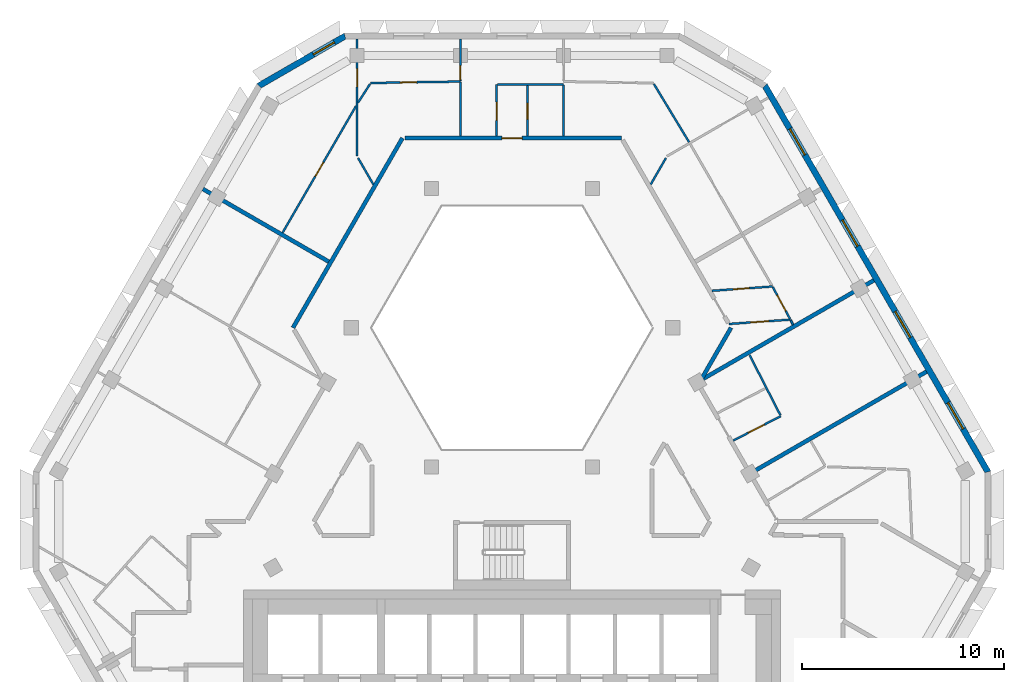
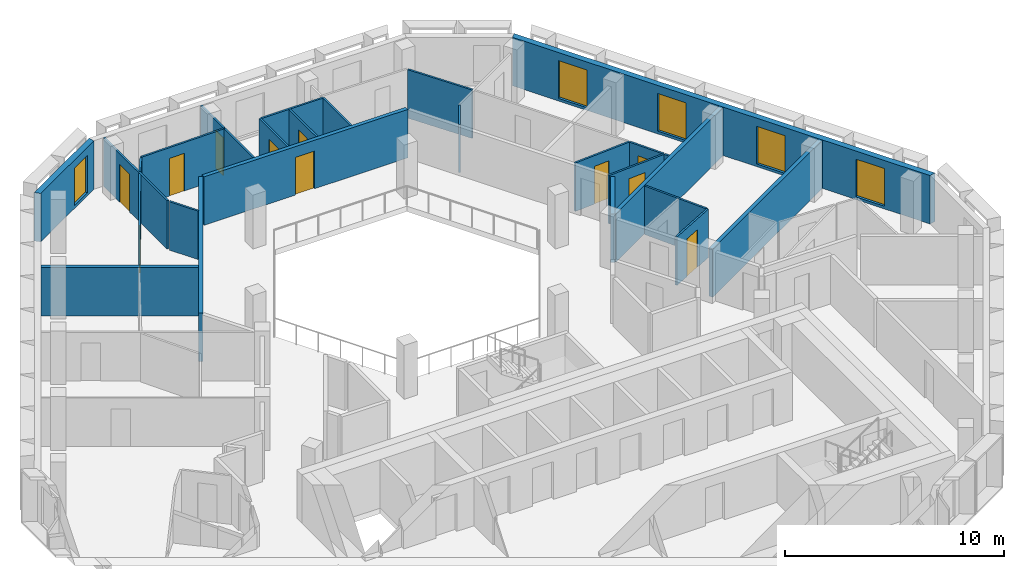
# One storey, part 6 of 14: 27 walls, 11 doors, 5 windows, 16 openings.
"""IFC4 building model written with IfcOpenShell, lengths in metres."""

import ifcopenshell
import ifcopenshell.guid

model = None  # the IFC model being written
_history = None  # IfcOwnerHistory: only IFC2X3 demands one
_inside = {}  # id of a spatial element -> (the spatial element, [elements in it])
_under = {}  # id of a project, library or spatial element -> (it, [spatial elements below it])
_declared = {}  # id of a project -> (the project, [libraries it declares])
_typed = {}  # id of a type object -> (the type object, [elements of that type])
_made_of = {}  # id of a material, layer set ... -> (it, [elements and type objects made of it])


def new_model(schema):
    """Start an empty IFC model of exactly this schema.

    Asked for "IFC4X3", IfcOpenShell would pick the latest addendum, in which some entities
    have other attributes; the version numbers below select the first issue.
    IFC2X3 requires an IfcOwnerHistory on every rooted entity: one is made here for all.
    """
    global model, _history
    if schema == "IFC4X3":
        model = ifcopenshell.file(schema_version=(4, 3, 0, 0))
    else:
        model = ifcopenshell.file(schema=schema)
    _inside.clear()
    _under.clear()
    _declared.clear()
    _typed.clear()
    _made_of.clear()
    _history = None
    if model.schema == "IFC2X3":
        org = make("IfcOrganization", Name="unknown")
        user = make(
            "IfcPersonAndOrganization",
            ThePerson=make("IfcPerson", FamilyName="unknown"),
            TheOrganization=org,
        )
        app = make(
            "IfcApplication",
            ApplicationDeveloper=org,
            Version="unknown",
            ApplicationFullName="unknown",
            ApplicationIdentifier="unknown",
        )
        _history = make(
            "IfcOwnerHistory",
            OwningUser=user,
            OwningApplication=app,
            ChangeAction="ADDED",
            CreationDate=0,
        )
    return model


def make(cls, **values):
    """One entity of the class cls with the attributes given. An attribute that is None is left unset."""
    return model.create_entity(
        cls, **{name: value for name, value in values.items() if value is not None}
    )


def rooted(cls, **values):
    """An entity with a GlobalId (a new one), such as an element, a storey or a relation."""
    return make(cls, GlobalId=ifcopenshell.guid.new(), OwnerHistory=_history, **values)


def si_unit(unit_type, name, prefix=None):
    """IfcSIUnit, for example si_unit("LENGTHUNIT", "METRE", prefix="MILLI")."""
    return make("IfcSIUnit", UnitType=unit_type, Prefix=prefix, Name=name)


def assignment(units):
    """IfcUnitAssignment: the units of a project."""
    return None if units is None else make("IfcUnitAssignment", Units=units)


def point(xyz):
    """IfcCartesianPoint."""
    return None if xyz is None else make("IfcCartesianPoint", Coordinates=xyz)


def direction(xyz):
    """IfcDirection."""
    return None if xyz is None else make("IfcDirection", DirectionRatios=xyz)


def frame(location, z_axis=None, x_axis=None):
    """IfcAxis2Placement3D, a coordinate frame: its origin and axes. An axis left out is left unset."""
    return make(
        "IfcAxis2Placement3D",
        Location=point(location),
        Axis=direction(z_axis),
        RefDirection=direction(x_axis),
    )


def frame_2d(location, x_axis=None):
    """IfcAxis2Placement2D, a coordinate frame in the plane: its origin and x axis."""
    return make(
        "IfcAxis2Placement2D", Location=point(location), RefDirection=direction(x_axis)
    )


def origin():
    """The frame at (0, 0, 0) with its axes left unset."""
    return frame((0.0, 0.0, 0.0))


def place(relative_to, where):
    """IfcLocalPlacement: puts the frame where relative to a parent placement (None: the world)."""
    return make(
        "IfcLocalPlacement", PlacementRelTo=relative_to, RelativePlacement=where
    )


def context(
    kind, dimensions, precision=None, world=None, true_north=None, identifier=None
):
    """IfcGeometricRepresentationContext, for example the 3D "Model" context."""
    return make(
        "IfcGeometricRepresentationContext",
        ContextIdentifier=identifier,
        ContextType=kind,
        CoordinateSpaceDimension=dimensions,
        Precision=precision,
        WorldCoordinateSystem=world,
        TrueNorth=true_north,
    )


def subcontext(parent, identifier, kind, view, scale=None):
    """IfcGeometricRepresentationSubContext, for example "Body" below "Model"."""
    return make(
        "IfcGeometricRepresentationSubContext",
        ContextIdentifier=identifier,
        ContextType=kind,
        ParentContext=parent,
        TargetScale=scale,
        TargetView=view,
    )


def project(units=None, contexts=None):
    """IfcProject with its units and contexts."""
    return rooted(
        "IfcProject",
        Name="project",
        RepresentationContexts=contexts,
        UnitsInContext=assignment(units),
    )


def spatial(cls, under=None, at=None, **own):
    """A site, building, storey or space (cls), placed at a placement, below another one or the project."""
    s = rooted(cls, ObjectPlacement=at, **own)
    if under is not None:
        _under.setdefault(under.id(), (under, []))[1].append(s)
    return s


def polyline(points):
    """IfcPolyline through the points."""
    return make("IfcPolyline", Points=[point(p) for p in points])


def profile(cls, at=None, kind="AREA", **sizes):
    """A parametric profile (cls). Its sizes go by their IFC names, for example OverallWidth=200.0."""
    return make(cls, ProfileType=kind, Position=at, **sizes)


def rectangle(**sizes):
    """IfcRectangleProfileDef."""
    return profile("IfcRectangleProfileDef", **sizes)


def outline(outer, holes=None, kind="AREA"):
    """IfcArbitraryClosedProfileDef: a profile drawn as a closed curve; with holes, ...WithVoids."""
    if holes is None:
        return make("IfcArbitraryClosedProfileDef", ProfileType=kind, OuterCurve=outer)
    return make(
        "IfcArbitraryProfileDefWithVoids",
        ProfileType=kind,
        OuterCurve=outer,
        InnerCurves=holes,
    )


def extrude(swept, where, along, depth):
    """IfcExtrudedAreaSolid: the profile swept, set in the frame where, extruded along a direction by depth."""
    return make(
        "IfcExtrudedAreaSolid",
        SweptArea=swept,
        Position=where,
        ExtrudedDirection=direction(along),
        Depth=depth,
    )


def shape(context_of_items, identifier, shape_type, items):
    """IfcShapeRepresentation: the items that make up one representation, for example the "Body"."""
    return make(
        "IfcShapeRepresentation",
        ContextOfItems=context_of_items,
        RepresentationIdentifier=identifier,
        RepresentationType=shape_type,
        Items=items,
    )


def material(Name=None, Category=None):
    """IfcMaterial."""
    return make("IfcMaterial", Name=Name, Category=Category)


def layer(
    of_material, thickness, ventilated=None, Name=None, Category=None, Priority=None
):
    """IfcMaterialLayer: one layer of a wall or slab, of a material (None: an air gap)."""
    return make(
        "IfcMaterialLayer",
        Material=of_material,
        LayerThickness=thickness,
        IsVentilated=ventilated,
        Name=Name,
        Category=Category,
        Priority=Priority,
    )


def layer_set(layers, Name=None):
    """IfcMaterialLayerSet."""
    return make("IfcMaterialLayerSet", MaterialLayers=layers, LayerSetName=Name)


def made_of(thing, what):
    """Note that an element or type object is made of a material, layer set ...; save() writes the relation."""
    if what is not None:
        _made_of.setdefault(what.id(), (what, []))[1].append(thing)
    return thing


def type_object(cls, material=None, **own):
    """A type object (cls), such as IfcWallType, which elements share."""
    return made_of(rooted(cls, **own), material)


def element(
    cls,
    number,
    at=None,
    inside=None,
    cuts=None,
    type_object=None,
    material=None,
    context=None,
    identifier="Body",
    shape_type=None,
    held_by="IfcProductDefinitionShape",
    body=None,
    shapes=None,
    **own,
):
    """One element of the class cls, such as IfcWall. Its Tag is "e" and its number.

    at: its placement. inside: the storey or other place that contains it. cuts: it is an
    opening in that element (IfcRelVoidsElement). A single representation is given by context,
    identifier, shape_type and body (its items); several are given by shapes. held_by: the class
    of the entity that holds the representations. save() writes the other relations.
    """
    e = rooted(cls, Tag="e%d" % number, ObjectPlacement=at, **own)
    if body is not None:
        shapes = [shape(context, identifier, shape_type, body)]
    if shapes is not None:
        e.Representation = make(held_by, Representations=shapes)
    if inside is not None:
        _inside.setdefault(inside.id(), (inside, []))[1].append(e)
    if cuts is not None:
        rooted(
            "IfcRelVoidsElement", RelatingBuildingElement=cuts, RelatedOpeningElement=e
        )
    if type_object is not None:
        _typed.setdefault(type_object.id(), (type_object, []))[1].append(e)
    return made_of(e, material)


def fill(opening, filler):
    """IfcRelFillsElement: the door or window that sits in an opening."""
    return rooted(
        "IfcRelFillsElement",
        RelatingOpeningElement=opening,
        RelatedBuildingElement=filler,
    )


def aggregate(whole, parts):
    """IfcRelAggregates: a whole, such as a stair, and the parts it consists of."""
    return rooted("IfcRelAggregates", RelatingObject=whole, RelatedObjects=parts)


def save(model, path):
    """Write the relations noted so far, then the file.

    IfcRelAggregates (storeys below a building ...), IfcRelContainedInSpatialStructure (elements
    in a storey), IfcRelDefinesByType, IfcRelAssociatesMaterial and IfcRelDeclares: one each for
    every whole, place, type object, material and project.
    """
    for whole, parts in _under.values():
        aggregate(whole, parts)
    for where, things in _inside.values():
        rooted(
            "IfcRelContainedInSpatialStructure",
            RelatedElements=things,
            RelatingStructure=where,
        )
    for kind, things in _typed.values():
        rooted("IfcRelDefinesByType", RelatedObjects=things, RelatingType=kind)
    for what, things in _made_of.values():
        rooted("IfcRelAssociatesMaterial", RelatedObjects=things, RelatingMaterial=what)
    for by, libraries in _declared.values():
        rooted("IfcRelDeclares", RelatingContext=by, RelatedDefinitions=libraries)
    model.write(path)


model = new_model("IFC4")

# Units and contexts
model_context = context("Model", 3, precision=1e-05, world=origin(), true_north=direction((0.0, 1.0)))
body_context = subcontext(model_context, "Body", "Model", "MODEL_VIEW")
ifc_project = project(units=[si_unit("LENGTHUNIT", "METRE"), si_unit("AREAUNIT", "SQUARE_METRE"), si_unit("VOLUMEUNIT", "CUBIC_METRE"), si_unit("PLANEANGLEUNIT", "RADIAN"), si_unit("MASSUNIT", "GRAM", prefix="KILO")], contexts=[model_context])

# Site, building, storey
site_placement = place(None, origin())
site = spatial("IfcSite", under=ifc_project, at=site_placement, CompositionType="ELEMENT")
building_placement = place(site_placement, origin())
building = spatial("IfcBuilding", under=site, at=building_placement, Name="Beryl Residences", CompositionType="ELEMENT")
storey_placement = place(building_placement, frame((0.0, 0.0, 235.800048828125)))
storey = spatial("IfcBuildingStorey", under=building, at=storey_placement, Name="L73", CompositionType="ELEMENT", Elevation=235.800048828125)

# Wall, opening, window
ifc_material_1 = material(Name="Composite metal panel with mineral wool insulation")
ifc_layer_1 = layer(ifc_material_1, 0.300048828125)
ifc_layer_set_1 = layer_set([ifc_layer_1], Name="ES1 pale metal composite panel wall 300 mm")
wall_type_1 = type_object("IfcWallType", Name="ES1 pale metal composite panel wall 300 mm", PredefinedType="SOLIDWALL", material=ifc_layer_set_1)
wall_1_placement = place(storey_placement, frame((-8.239013671875, 22.469970703125, 0.0), z_axis=(0.0, 0.0, 1.0), x_axis=(-0.866022959057, -0.500004234368, 0.0)))
wall_1 = element("IfcWall", 1, at=wall_1_placement, inside=storey, type_object=wall_type_1, Name="ES1 external wall L73 N-NW", PredefinedType="SOLIDWALL", context=body_context, shape_type="SweptSolid", body=[
    extrude(outline(polyline([(0.0, -0.14990234375), (5.0, -0.14990234375), (4.919677734375, 0.14990234375), (0.080322265625, 0.14990234375), (0.0, -0.14990234375)])), origin(), (0.0, 0.0, 1.0), 2.699951171875),
])
opening_1_placement = place(wall_1_placement, frame((0.64990234375, 0.0, 0.14990234375)))
opening_1 = element("IfcOpeningElement", 2, at=opening_1_placement, cuts=wall_1, Name="Opening W2", PredefinedType="OPENING", context=body_context, shape_type="SweptSolid", body=[
    extrude(rectangle(XDim=1.199951171875, YDim=2.10009765625, at=frame_2d((0.60009765625, 1.050048828125))), frame((0.0, 0.159912109375, 0.0), z_axis=(0.0, -1.0, 0.0), x_axis=(1.0, 0.0, 0.0)), (0.0, 0.0, 1.0), 0.320068359375),
])
ifc_material_2 = material(Name="Aluminium and clear glass", Category="aluminium")
window_type_1 = type_object("IfcWindowType", Name="W2 chamfer window 1200 x 2100 mm", PartitioningType="SINGLE_PANEL", PredefinedType="WINDOW", material=ifc_material_2)
window_1_placement = place(opening_1_placement, origin())
window_1 = element("IfcWindow", 3, at=window_1_placement, inside=storey, type_object=window_type_1, Name="W2 window L73 N-NW 1", OverallHeight=2.10009765625, OverallWidth=1.199951171875, PartitioningType="SINGLE_PANEL", PredefinedType="WINDOW", context=body_context, shape_type="SweptSolid", body=[
    extrude(rectangle(XDim=1.199951171875, YDim=2.10009765625, at=frame_2d((0.60009765625, 1.050048828125))), frame((0.0, 0.030029296875, 0.0), z_axis=(0.0, -1.0, 0.0), x_axis=(1.0, 0.0, 0.0)), (0.0, 0.0, 1.0), 0.06005859375),
])
fill(opening_1, window_1)

# Wall, openings, windows
wall_2_placement = place(storey_placement, frame((23.59912109375, 0.824951171875, 0.0), z_axis=(0.0, 0.0, 1.0), x_axis=(-0.500003656944, 0.866023292436, 0.0)))
wall_2 = element("IfcWall", 4, at=wall_2_placement, inside=storey, type_object=wall_type_1, Name="ES1 external wall L73 NE", PredefinedType="SOLIDWALL", context=body_context, shape_type="SweptSolid", body=[
    extrude(outline(polyline([(0.0, -0.14990234375), (22.170166015625, -0.14990234375), (22.08984375, 0.14990234375), (0.080322265625, 0.14990234375), (0.0, -0.14990234375)])), origin(), (0.0, 0.0, 1.0), 2.699951171875),
])
opening_2_placement = place(wall_2_placement, frame((2.4970703125, 0.0, 0.14990234375)))
opening_2 = element("IfcOpeningElement", 5, at=opening_2_placement, cuts=wall_2, Name="Opening W1", PredefinedType="OPENING", context=body_context, shape_type="SweptSolid", body=[
    extrude(rectangle(XDim=1.5, YDim=2.10009765625, at=frame_2d((0.75, 1.050048828125))), frame((0.0, 0.159912109375, 0.0), z_axis=(0.0, -1.0, 0.0), x_axis=(1.0, 0.0, 0.0)), (0.0, 0.0, 1.0), 0.320068359375),
])
opening_3_placement = place(wall_2_placement, frame((7.722900390625, 0.0, 0.14990234375)))
opening_3 = element("IfcOpeningElement", 6, at=opening_3_placement, cuts=wall_2, Name="Opening W1", PredefinedType="OPENING", context=body_context, shape_type="SweptSolid", body=[
    extrude(rectangle(XDim=1.5, YDim=2.10009765625, at=frame_2d((0.75, 1.050048828125))), frame((0.0, 0.159912109375, 0.0), z_axis=(0.0, -1.0, 0.0), x_axis=(1.0, 0.0, 0.0)), (0.0, 0.0, 1.0), 0.320068359375),
])
opening_4_placement = place(wall_2_placement, frame((12.947998046875, 0.0, 0.14990234375)))
opening_4 = element("IfcOpeningElement", 7, at=opening_4_placement, cuts=wall_2, Name="Opening W1", PredefinedType="OPENING", context=body_context, shape_type="SweptSolid", body=[
    extrude(rectangle(XDim=1.5, YDim=2.10009765625, at=frame_2d((0.75, 1.050048828125))), frame((0.0, 0.159912109375, 0.0), z_axis=(0.0, -1.0, 0.0), x_axis=(1.0, 0.0, 0.0)), (0.0, 0.0, 1.0), 0.320068359375),
])
opening_5_placement = place(wall_2_placement, frame((18.173095703125, 0.0, 0.14990234375)))
opening_5 = element("IfcOpeningElement", 8, at=opening_5_placement, cuts=wall_2, Name="Opening W1", PredefinedType="OPENING", context=body_context, shape_type="SweptSolid", body=[
    extrude(rectangle(XDim=1.5, YDim=2.10009765625, at=frame_2d((0.75, 1.050048828125))), frame((0.0, 0.159912109375, 0.0), z_axis=(0.0, -1.0, 0.0), x_axis=(1.0, 0.0, 0.0)), (0.0, 0.0, 1.0), 0.320068359375),
])
ifc_material_3 = material(Name="Aluminium and clear glass", Category="aluminium")
window_type_2 = type_object("IfcWindowType", Name="W1 cell window 1500 x 2100 mm", PartitioningType="SINGLE_PANEL", PredefinedType="WINDOW", material=ifc_material_3)
window_2_placement = place(opening_2_placement, origin())
window_2 = element("IfcWindow", 9, at=window_2_placement, inside=storey, type_object=window_type_2, Name="W1 window L73 NE 2", OverallHeight=2.10009765625, OverallWidth=1.5, PartitioningType="SINGLE_PANEL", PredefinedType="WINDOW", context=body_context, shape_type="SweptSolid", body=[
    extrude(rectangle(XDim=1.5, YDim=2.10009765625, at=frame_2d((0.75, 1.050048828125))), frame((0.0, 0.030029296875, 0.0), z_axis=(0.0, -1.0, 0.0), x_axis=(1.0, 0.0, 0.0)), (0.0, 0.0, 1.0), 0.06005859375),
])
fill(opening_2, window_2)
window_3_placement = place(opening_3_placement, origin())
window_3 = element("IfcWindow", 10, at=window_3_placement, inside=storey, type_object=window_type_2, Name="W1 window L73 NE 4", OverallHeight=2.10009765625, OverallWidth=1.5, PartitioningType="SINGLE_PANEL", PredefinedType="WINDOW", context=body_context, shape_type="SweptSolid", body=[
    extrude(rectangle(XDim=1.5, YDim=2.10009765625, at=frame_2d((0.75, 1.050048828125))), frame((0.0, 0.030029296875, 0.0), z_axis=(0.0, -1.0, 0.0), x_axis=(1.0, 0.0, 0.0)), (0.0, 0.0, 1.0), 0.06005859375),
])
fill(opening_3, window_3)
window_4_placement = place(opening_4_placement, origin())
window_4 = element("IfcWindow", 11, at=window_4_placement, inside=storey, type_object=window_type_2, Name="W1 window L73 NE 6", OverallHeight=2.10009765625, OverallWidth=1.5, PartitioningType="SINGLE_PANEL", PredefinedType="WINDOW", context=body_context, shape_type="SweptSolid", body=[
    extrude(rectangle(XDim=1.5, YDim=2.10009765625, at=frame_2d((0.75, 1.050048828125))), frame((0.0, 0.030029296875, 0.0), z_axis=(0.0, -1.0, 0.0), x_axis=(1.0, 0.0, 0.0)), (0.0, 0.0, 1.0), 0.06005859375),
])
fill(opening_4, window_4)
window_5_placement = place(opening_5_placement, origin())
window_5 = element("IfcWindow", 12, at=window_5_placement, inside=storey, type_object=window_type_2, Name="W1 window L73 NE 8", OverallHeight=2.10009765625, OverallWidth=1.5, PartitioningType="SINGLE_PANEL", PredefinedType="WINDOW", context=body_context, shape_type="SweptSolid", body=[
    extrude(rectangle(XDim=1.5, YDim=2.10009765625, at=frame_2d((0.75, 1.050048828125))), frame((0.0, 0.030029296875, 0.0), z_axis=(0.0, -1.0, 0.0), x_axis=(1.0, 0.0, 0.0)), (0.0, 0.0, 1.0), 0.06005859375),
])
fill(opening_5, window_5)

# Walls
ifc_material_4 = material(Name="Gypsum board partition on steel studs", Category="steel")
ifc_layer_2 = layer(ifc_material_4, 0.10009765625)
ifc_layer_set_2 = layer_set([ifc_layer_2], Name="PT1 partition 100 mm gypsum board on steel studs")
wall_type_2 = type_object("IfcWallType", Name="PT1 partition 100 mm gypsum board on steel studs", PredefinedType="PARTITIONING", material=ifc_layer_set_2)
wall_3_placement = place(storey_placement, frame((7.032958984375, 20.076904296875, 0.0), z_axis=(0.0, 0.0, 1.0), x_axis=(0.517730137343, -0.855543981854, 0.0)))
element("IfcWall", 13, at=wall_3_placement, inside=storey, type_object=wall_type_2, Name="Wall PT1 L73 001", PredefinedType="PARTITIONING", context=body_context, shape_type="SweptSolid", body=[
    extrude(rectangle(XDim=3.37060546875, YDim=0.10009765625, at=frame_2d((1.685302734375, 0.0))), origin(), (0.0, 0.0, 1.0), 2.699951171875),
])
wall_4_placement = place(storey_placement, frame((-7.6279296875, 16.412109375, 0.0), z_axis=(0.0, 0.0, 1.0), x_axis=(0.500159472144, -0.86593331292, 0.0)))
element("IfcWall", 14, at=wall_4_placement, inside=storey, type_object=wall_type_2, Name="Wall PT1 L73 003", PredefinedType="PARTITIONING", context=body_context, shape_type="SweptSolid", body=[
    extrude(rectangle(XDim=1.51513671875, YDim=0.10009765625, at=frame_2d((0.757568359375, 0.0))), origin(), (0.0, 0.0, 1.0), 2.699951171875),
])

# Wall, opening, door
wall_5_placement = place(storey_placement, frame((12.922119140625, 10.01611328125, 0.0), z_axis=(0.0, 0.0, 1.0), x_axis=(0.476510550025, -0.879168752695, 0.0)))
wall_5 = element("IfcWall", 15, at=wall_5_placement, inside=storey, type_object=wall_type_2, Name="Wall PT1 L73 006", PredefinedType="PARTITIONING", context=body_context, shape_type="SweptSolid", body=[
    extrude(rectangle(XDim=1.79833984375, YDim=0.10009765625, at=frame_2d((0.899169921875, 0.0))), origin(), (0.0, 0.0, 1.0), 2.699951171875),
])
opening_6_placement = place(wall_5_placement, frame((0.448974609375, 0.0, 0.0)))
opening_6 = element("IfcOpeningElement", 16, at=opening_6_placement, cuts=wall_5, Name="Opening D2233", PredefinedType="OPENING", context=body_context, shape_type="SweptSolid", body=[
    extrude(rectangle(XDim=0.89990234375, YDim=2.10009765625, at=frame_2d((0.449951171875, 1.050048828125))), frame((0.0, 0.06005859375, 0.0), z_axis=(0.0, -1.0, 0.0), x_axis=(1.0, 0.0, 0.0)), (0.0, 0.0, 1.0), 0.1201171875),
])
ifc_material_5 = material(Name="Timber door leaf", Category="wood")
door_type_1 = type_object("IfcDoorType", Name="D2 room door 900 x 2100 mm", OperationType="SINGLE_SWING_LEFT", PredefinedType="DOOR", material=ifc_material_5)
door_1_placement = place(opening_6_placement, origin())
door_1 = element("IfcDoor", 17, at=door_1_placement, inside=storey, type_object=door_type_1, Name="Door D2233 L73 001", OperationType="SINGLE_SWING_LEFT", OverallHeight=2.10009765625, OverallWidth=0.89990234375, PredefinedType="DOOR", context=body_context, shape_type="SweptSolid", body=[
    extrude(rectangle(XDim=0.89990234375, YDim=2.10009765625, at=frame_2d((0.449951171875, 1.050048828125))), frame((0.0, 0.02490234375, 0.0), z_axis=(0.0, -1.0, 0.0), x_axis=(1.0, 0.0, 0.0)), (0.0, 0.0, 1.0), 0.050048828125),
])
fill(opening_6, door_1)

# Walls
wall_6_placement = place(storey_placement, frame((13.81103515625, 8.375, 0.0), z_axis=(0.0, 0.0, 1.0), x_axis=(0.457058020142, -0.889436881529, 0.0)))
element("IfcWall", 18, at=wall_6_placement, inside=storey, type_object=wall_type_2, Name="Wall PT1 L73 007", PredefinedType="PARTITIONING", context=body_context, shape_type="SweptSolid", body=[
    extrude(rectangle(XDim=0.247314453125, YDim=0.10009765625, at=frame_2d((0.12353515625, 0.0))), origin(), (0.0, 0.0, 1.0), 2.699951171875),
])
wall_7_placement = place(storey_placement, frame((11.77197265625, 6.64599609375, 0.0), z_axis=(0.0, 0.0, 1.0), x_axis=(0.456175983405, -0.889889584254, 0.0)))
element("IfcWall", 19, at=wall_7_placement, inside=storey, type_object=wall_type_2, Name="Wall PT1 L73 008", PredefinedType="PARTITIONING", context=body_context, shape_type="SweptSolid", body=[
    extrude(rectangle(XDim=3.34765625, YDim=0.10009765625, at=frame_2d((1.673828125, 0.0))), origin(), (0.0, 0.0, 1.0), 2.699951171875),
])
wall_8_placement = place(storey_placement, frame((-2.55908203125, 20.169921875, 0.0), z_axis=(0.0, 0.0, 1.0), x_axis=(0.0, -1.0, 0.0)))
element("IfcWall", 20, at=wall_8_placement, inside=storey, type_object=wall_type_2, Name="Wall PT1 L73 010", PredefinedType="PARTITIONING", context=body_context, shape_type="SweptSolid", body=[
    extrude(rectangle(XDim=2.669921875, YDim=0.10009765625, at=frame_2d((1.3349609375, 0.0))), origin(), (0.0, 0.0, 1.0), 2.699951171875),
])
wall_9_placement = place(storey_placement, frame((2.56005859375, 20.030029296875, 0.0), z_axis=(0.0, 0.0, 1.0), x_axis=(0.0, -1.0, 0.0)))
element("IfcWall", 21, at=wall_9_placement, inside=storey, type_object=wall_type_2, Name="Wall PT1 L73 012", PredefinedType="PARTITIONING", context=body_context, shape_type="SweptSolid", body=[
    extrude(rectangle(XDim=2.530029296875, YDim=0.10009765625, at=frame_2d((1.26513671875, 0.0))), origin(), (0.0, 0.0, 1.0), 2.699951171875),
])
wall_10_placement = place(storey_placement, frame((-0.716064453125, 20.06005859375, 0.0), z_axis=(0.0, 0.0, 1.0), x_axis=(1.0, 0.0, 0.0)))
element("IfcWall", 22, at=wall_10_placement, inside=storey, type_object=wall_type_2, Name="Wall PT1 L73 021", PredefinedType="PARTITIONING", context=body_context, shape_type="SweptSolid", body=[
    extrude(rectangle(XDim=3.276123046875, YDim=0.10009765625, at=frame_2d((1.63818359375, 0.0))), origin(), (0.0, 0.0, 1.0), 2.699951171875),
])
wall_11_placement = place(storey_placement, frame((-7.6279296875, 19.154052734375, 0.0), z_axis=(0.0, 0.0, 1.0), x_axis=(0.540600102017, 0.841279697663, 0.0)))
element("IfcWall", 23, at=wall_11_placement, inside=storey, type_object=wall_type_2, Name="Wall PT1 L73 022", PredefinedType="PARTITIONING", context=body_context, shape_type="SweptSolid", body=[
    extrude(rectangle(XDim=1.096923828125, YDim=0.10009765625, at=frame_2d((0.54833984375, 0.0))), origin(), (0.0, 0.0, 1.0), 2.699951171875),
])
wall_12_placement = place(storey_placement, frame((6.87109375, 15.10009765625, 0.0), z_axis=(0.0, 0.0, 1.0), x_axis=(0.499805980977, 0.866137391745, 0.0)))
element("IfcWall", 24, at=wall_12_placement, inside=storey, type_object=wall_type_2, Name="Wall PT1 L73 024", PredefinedType="PARTITIONING", context=body_context, shape_type="SweptSolid", body=[
    extrude(rectangle(XDim=1.51806640625, YDim=0.10009765625, at=frame_2d((0.759033203125, 0.0))), origin(), (0.0, 0.0, 1.0), 2.699951171875),
])

# Wall, opening, door
wall_13_placement = place(storey_placement, frame((-11.366943359375, 12.7119140625, 0.0), z_axis=(0.0, 0.0, 1.0), x_axis=(0.501473866443, 0.865172792727, 0.0)))
wall_13 = element("IfcWall", 25, at=wall_13_placement, inside=storey, type_object=wall_type_2, Name="Wall PT1 L73 025", PredefinedType="PARTITIONING", context=body_context, shape_type="SweptSolid", body=[
    extrude(rectangle(XDim=7.25634765625, YDim=0.10009765625, at=frame_2d((3.628173828125, 0.0))), origin(), (0.0, 0.0, 1.0), 2.699951171875),
])
opening_7_placement = place(wall_13_placement, frame((3.22802734375, 0.0, 0.0)))
opening_7 = element("IfcOpeningElement", 26, at=opening_7_placement, cuts=wall_13, Name="Opening D2211", PredefinedType="OPENING", context=body_context, shape_type="SweptSolid", body=[
    extrude(rectangle(XDim=0.800048828125, YDim=2.10009765625, at=frame_2d((0.39990234375, 1.050048828125))), frame((0.0, 0.06005859375, 0.0), z_axis=(0.0, -1.0, 0.0), x_axis=(1.0, 0.0, 0.0)), (0.0, 0.0, 1.0), 0.1201171875),
])
ifc_material_6 = material(Name="Timber door leaf", Category="wood")
door_type_2 = type_object("IfcDoorType", Name="D3 bathroom door 800 x 2100 mm", OperationType="SINGLE_SWING_LEFT", PredefinedType="DOOR", material=ifc_material_6)
door_2_placement = place(opening_7_placement, origin())
door_2 = element("IfcDoor", 27, at=door_2_placement, inside=storey, type_object=door_type_2, Name="Door D2211 L73 001", OperationType="SINGLE_SWING_LEFT", OverallHeight=2.10009765625, OverallWidth=0.800048828125, PredefinedType="DOOR", context=body_context, shape_type="SweptSolid", body=[
    extrude(rectangle(XDim=0.800048828125, YDim=2.10009765625, at=frame_2d((0.39990234375, 1.050048828125))), frame((0.0, 0.02490234375, 0.0), z_axis=(0.0, -1.0, 0.0), x_axis=(1.0, 0.0, 0.0)), (0.0, 0.0, 1.0), 0.050048828125),
])
fill(opening_7, door_2)

wall_14_placement = place(storey_placement, frame((0.76806640625, 17.5, 0.0), z_axis=(0.0, 0.0, 1.0), x_axis=(0.0, 1.0, 0.0)))
wall_14 = element("IfcWall", 28, at=wall_14_placement, inside=storey, type_object=wall_type_2, Name="Wall PT1 L73 027", PredefinedType="PARTITIONING", context=body_context, shape_type="SweptSolid", body=[
    extrude(rectangle(XDim=2.510009765625, YDim=0.10009765625, at=frame_2d((1.2548828125, 0.0))), origin(), (0.0, 0.0, 1.0), 2.699951171875),
])
opening_8_placement = place(wall_14_placement, frame((0.830078125, 0.0, 0.0)))
opening_8 = element("IfcOpeningElement", 29, at=opening_8_placement, cuts=wall_14, Name="Opening D2203", PredefinedType="OPENING", context=body_context, shape_type="SweptSolid", body=[
    extrude(rectangle(XDim=0.800048828125, YDim=2.10009765625, at=frame_2d((0.39990234375, 1.050048828125))), frame((0.0, 0.06005859375, 0.0), z_axis=(0.0, -1.0, 0.0), x_axis=(1.0, 0.0, 0.0)), (0.0, 0.0, 1.0), 0.1201171875),
])
door_3_placement = place(opening_8_placement, origin())
door_3 = element("IfcDoor", 30, at=door_3_placement, inside=storey, type_object=door_type_2, Name="Door D2203 L73 001", OperationType="SINGLE_SWING_LEFT", OverallHeight=2.10009765625, OverallWidth=0.800048828125, PredefinedType="DOOR", context=body_context, shape_type="SweptSolid", body=[
    extrude(rectangle(XDim=0.800048828125, YDim=2.10009765625, at=frame_2d((0.39990234375, 1.050048828125))), frame((0.0, 0.02490234375, 0.0), z_axis=(0.0, -1.0, 0.0), x_axis=(1.0, 0.0, 0.0)), (0.0, 0.0, 1.0), 0.050048828125),
])
fill(opening_8, door_3)

wall_15_placement = place(storey_placement, frame((-7.677978515625, 16.4990234375, 0.0), z_axis=(0.0, 0.0, 1.0), x_axis=(0.0, 1.0, 0.0)))
wall_15 = element("IfcWall", 31, at=wall_15_placement, inside=storey, type_object=wall_type_2, Name="Wall PT1 L73 028", PredefinedType="PARTITIONING", context=body_context, shape_type="SweptSolid", body=[
    extrude(rectangle(XDim=5.801025390625, YDim=0.10009765625, at=frame_2d((2.900390625, 0.0))), origin(), (0.0, 0.0, 1.0), 2.699951171875),
])
opening_9_placement = place(wall_15_placement, frame((3.43994140625, 0.0, 0.0)))
opening_9 = element("IfcOpeningElement", 32, at=opening_9_placement, cuts=wall_15, Name="Opening D2210", PredefinedType="OPENING", context=body_context, shape_type="SweptSolid", body=[
    extrude(rectangle(XDim=0.89990234375, YDim=2.10009765625, at=frame_2d((0.449951171875, 1.050048828125))), frame((0.0, 0.06005859375, 0.0), z_axis=(0.0, -1.0, 0.0), x_axis=(1.0, 0.0, 0.0)), (0.0, 0.0, 1.0), 0.1201171875),
])
door_4_placement = place(opening_9_placement, origin())
door_4 = element("IfcDoor", 33, at=door_4_placement, inside=storey, type_object=door_type_1, Name="Door D2210 L73 001", OperationType="SINGLE_SWING_RIGHT", OverallHeight=2.10009765625, OverallWidth=0.89990234375, PredefinedType="DOOR", context=body_context, shape_type="SweptSolid", body=[
    extrude(rectangle(XDim=0.89990234375, YDim=2.10009765625, at=frame_2d((0.449951171875, 1.050048828125))), frame((0.0, 0.02490234375, 0.0), z_axis=(0.0, -1.0, 0.0), x_axis=(1.0, 0.0, 0.0)), (0.0, 0.0, 1.0), 0.050048828125),
])
fill(opening_9, door_4)

wall_16_placement = place(storey_placement, frame((-0.76708984375, 17.5, 0.0), z_axis=(0.0, 0.0, 1.0), x_axis=(0.0, 1.0, 0.0)))
wall_16 = element("IfcWall", 34, at=wall_16_placement, inside=storey, type_object=wall_type_2, Name="Wall PT1 L73 029", PredefinedType="PARTITIONING", context=body_context, shape_type="SweptSolid", body=[
    extrude(rectangle(XDim=2.55908203125, YDim=0.10009765625, at=frame_2d((1.279541015625, 0.0))), origin(), (0.0, 0.0, 1.0), 2.699951171875),
])
opening_10_placement = place(wall_16_placement, frame((0.780029296875, 0.0, 0.0)))
opening_10 = element("IfcOpeningElement", 35, at=opening_10_placement, cuts=wall_16, Name="Opening D2202", PredefinedType="OPENING", context=body_context, shape_type="SweptSolid", body=[
    extrude(rectangle(XDim=0.89990234375, YDim=2.10009765625, at=frame_2d((0.449951171875, 1.050048828125))), frame((0.0, 0.06005859375, 0.0), z_axis=(0.0, -1.0, 0.0), x_axis=(1.0, 0.0, 0.0)), (0.0, 0.0, 1.0), 0.1201171875),
])
door_5_placement = place(opening_10_placement, origin())
door_5 = element("IfcDoor", 36, at=door_5_placement, inside=storey, type_object=door_type_1, Name="Door D2202 L73 001", OperationType="SINGLE_SWING_RIGHT", OverallHeight=2.10009765625, OverallWidth=0.89990234375, PredefinedType="DOOR", context=body_context, shape_type="SweptSolid", body=[
    extrude(rectangle(XDim=0.89990234375, YDim=2.10009765625, at=frame_2d((0.449951171875, 1.050048828125))), frame((0.0, 0.02490234375, 0.0), z_axis=(0.0, -1.0, 0.0), x_axis=(1.0, 0.0, 0.0)), (0.0, 0.0, 1.0), 0.050048828125),
])
fill(opening_10, door_5)

wall_17_placement = place(storey_placement, frame((-2.55908203125, 20.22998046875, 0.0), z_axis=(0.0, 0.0, 1.0), x_axis=(0.0, 1.0, 0.0)))
wall_17 = element("IfcWall", 37, at=wall_17_placement, inside=storey, type_object=wall_type_2, Name="Wall PT1 L73 030", PredefinedType="PARTITIONING", context=body_context, shape_type="SweptSolid", body=[
    extrude(rectangle(XDim=2.070068359375, YDim=0.10009765625, at=frame_2d((1.03515625, 0.0))), origin(), (0.0, 0.0, 1.0), 2.699951171875),
])
opening_11_placement = place(wall_17_placement, frame((0.06005859375, 0.0, 0.0)))
opening_11 = element("IfcOpeningElement", 38, at=opening_11_placement, cuts=wall_17, Name="Opening D2204", PredefinedType="OPENING", context=body_context, shape_type="SweptSolid", body=[
    extrude(rectangle(XDim=0.699951171875, YDim=2.10009765625, at=frame_2d((0.35009765625, 1.050048828125))), frame((0.0, 0.06005859375, 0.0), z_axis=(0.0, -1.0, 0.0), x_axis=(1.0, 0.0, 0.0)), (0.0, 0.0, 1.0), 0.1201171875),
])
ifc_material_7 = material(Name="Timber door leaf", Category="wood")
door_type_3 = type_object("IfcDoorType", Name="D14 room door 700 x 2100 mm", OperationType="SINGLE_SWING_LEFT", PredefinedType="DOOR", material=ifc_material_7)
door_6_placement = place(opening_11_placement, origin())
door_6 = element("IfcDoor", 39, at=door_6_placement, inside=storey, type_object=door_type_3, Name="Door D2204 L73 001", OperationType="SINGLE_SWING_RIGHT", OverallHeight=2.10009765625, OverallWidth=0.699951171875, PredefinedType="DOOR", context=body_context, shape_type="SweptSolid", body=[
    extrude(rectangle(XDim=0.699951171875, YDim=2.10009765625, at=frame_2d((0.35009765625, 1.050048828125))), frame((0.0, 0.02490234375, 0.0), z_axis=(0.0, -1.0, 0.0), x_axis=(1.0, 0.0, 0.0)), (0.0, 0.0, 1.0), 0.050048828125),
])
fill(opening_11, door_6)

wall_18_placement = place(storey_placement, frame((-7.001953125, 20.1279296875, 0.0), z_axis=(0.0, 0.0, 1.0), x_axis=(0.999868634558, 0.016208443081, 0.0)))
wall_18 = element("IfcWall", 40, at=wall_18_placement, inside=storey, type_object=wall_type_2, Name="Wall PT1 L73 031", PredefinedType="PARTITIONING", context=body_context, shape_type="SweptSolid", body=[
    extrude(rectangle(XDim=4.443359375, YDim=0.10009765625, at=frame_2d((2.2216796875, 0.0))), origin(), (0.0, 0.0, 1.0), 2.699951171875),
])
opening_12_placement = place(wall_18_placement, frame((1.47509765625, 0.0, 0.0)))
opening_12 = element("IfcOpeningElement", 41, at=opening_12_placement, cuts=wall_18, Name="Opening D2209", PredefinedType="OPENING", context=body_context, shape_type="SweptSolid", body=[
    extrude(rectangle(XDim=0.800048828125, YDim=2.10009765625, at=frame_2d((0.39990234375, 1.050048828125))), frame((0.0, 0.06005859375, 0.0), z_axis=(0.0, -1.0, 0.0), x_axis=(1.0, 0.0, 0.0)), (0.0, 0.0, 1.0), 0.1201171875),
])
door_7_placement = place(opening_12_placement, origin())
door_7 = element("IfcDoor", 42, at=door_7_placement, inside=storey, type_object=door_type_2, Name="Door D2209 L73 001", OperationType="SINGLE_SWING_LEFT", OverallHeight=2.10009765625, OverallWidth=0.800048828125, PredefinedType="DOOR", context=body_context, shape_type="SweptSolid", body=[
    extrude(rectangle(XDim=0.800048828125, YDim=2.10009765625, at=frame_2d((0.39990234375, 1.050048828125))), frame((0.0, 0.02490234375, 0.0), z_axis=(0.0, -1.0, 0.0), x_axis=(1.0, 0.0, 0.0)), (0.0, 0.0, 1.0), 0.050048828125),
])
fill(opening_12, door_7)

wall_19_placement = place(storey_placement, frame((10.962890625, 2.412109375, 0.0), z_axis=(0.0, 0.0, 1.0), x_axis=(0.889943997558, 0.456069820543, 0.0)))
wall_19 = element("IfcWall", 43, at=wall_19_placement, inside=storey, type_object=wall_type_2, Name="Wall PT1 L73 033", PredefinedType="PARTITIONING", context=body_context, shape_type="SweptSolid", body=[
    extrude(rectangle(XDim=2.65087890625, YDim=0.10009765625, at=frame_2d((1.325439453125, 0.0))), origin(), (0.0, 0.0, 1.0), 2.699951171875),
])
opening_13_placement = place(wall_19_placement, frame((0.825927734375, 0.0, 0.0)))
opening_13 = element("IfcOpeningElement", 44, at=opening_13_placement, cuts=wall_19, Name="Opening D2228", PredefinedType="OPENING", context=body_context, shape_type="SweptSolid", body=[
    extrude(rectangle(XDim=0.89990234375, YDim=2.10009765625, at=frame_2d((0.449951171875, 1.050048828125))), frame((0.0, 0.06005859375, 0.0), z_axis=(0.0, -1.0, 0.0), x_axis=(1.0, 0.0, 0.0)), (0.0, 0.0, 1.0), 0.1201171875),
])
door_8_placement = place(opening_13_placement, origin())
door_8 = element("IfcDoor", 45, at=door_8_placement, inside=storey, type_object=door_type_1, Name="Door D2228 L73 001", OperationType="SINGLE_SWING_RIGHT", OverallHeight=2.10009765625, OverallWidth=0.89990234375, PredefinedType="DOOR", context=body_context, shape_type="SweptSolid", body=[
    extrude(rectangle(XDim=0.89990234375, YDim=2.10009765625, at=frame_2d((0.449951171875, 1.050048828125))), frame((0.0, 0.02490234375, 0.0), z_axis=(0.0, -1.0, 0.0), x_axis=(1.0, 0.0, 0.0)), (0.0, 0.0, 1.0), 0.050048828125),
])
fill(opening_13, door_8)

wall_20_placement = place(storey_placement, frame((10.74609375, 8.18701171875, 0.0), z_axis=(0.0, 0.0, 1.0), x_axis=(0.997477310687, 0.070986017387, 0.0)))
wall_20 = element("IfcWall", 46, at=wall_20_placement, inside=storey, type_object=wall_type_2, Name="Wall PT1 L73 037", PredefinedType="PARTITIONING", context=body_context, shape_type="SweptSolid", body=[
    extrude(rectangle(XDim=3.0576171875, YDim=0.10009765625, at=frame_2d((1.52880859375, 0.0))), origin(), (0.0, 0.0, 1.0), 2.699951171875),
])
opening_14_placement = place(wall_20_placement, frame((1.0791015625, 0.0, 0.0)))
opening_14 = element("IfcOpeningElement", 47, at=opening_14_placement, cuts=wall_20, Name="Opening D2232", PredefinedType="OPENING", context=body_context, shape_type="SweptSolid", body=[
    extrude(rectangle(XDim=0.89990234375, YDim=2.10009765625, at=frame_2d((0.449951171875, 1.050048828125))), frame((0.0, 0.06005859375, 0.0), z_axis=(0.0, -1.0, 0.0), x_axis=(1.0, 0.0, 0.0)), (0.0, 0.0, 1.0), 0.1201171875),
])
door_9_placement = place(opening_14_placement, origin())
door_9 = element("IfcDoor", 48, at=door_9_placement, inside=storey, type_object=door_type_1, Name="Door D2232 L73 001", OperationType="SINGLE_SWING_RIGHT", OverallHeight=2.10009765625, OverallWidth=0.89990234375, PredefinedType="DOOR", context=body_context, shape_type="SweptSolid", body=[
    extrude(rectangle(XDim=0.89990234375, YDim=2.10009765625, at=frame_2d((0.449951171875, 1.050048828125))), frame((0.0, 0.02490234375, 0.0), z_axis=(0.0, -1.0, 0.0), x_axis=(1.0, 0.0, 0.0)), (0.0, 0.0, 1.0), 0.050048828125),
])
fill(opening_14, door_9)

wall_21_placement = place(storey_placement, frame((9.912109375, 9.8310546875, 0.0), z_axis=(0.0, 0.0, 1.0), x_axis=(0.997459937941, 0.071229714326, 0.0)))
wall_21 = element("IfcWall", 49, at=wall_21_placement, inside=storey, type_object=wall_type_2, Name="Wall PT1 L73 038", PredefinedType="PARTITIONING", context=body_context, shape_type="SweptSolid", body=[
    extrude(rectangle(XDim=3.00244140625, YDim=0.10009765625, at=frame_2d((1.501220703125, 0.0))), origin(), (0.0, 0.0, 1.0), 2.699951171875),
])
opening_15_placement = place(wall_21_placement, frame((1.044921875, 0.0, 0.0)))
opening_15 = element("IfcOpeningElement", 50, at=opening_15_placement, cuts=wall_21, Name="Opening D2231", PredefinedType="OPENING", context=body_context, shape_type="SweptSolid", body=[
    extrude(rectangle(XDim=0.800048828125, YDim=2.10009765625, at=frame_2d((0.39990234375, 1.050048828125))), frame((0.0, 0.06005859375, 0.0), z_axis=(0.0, -1.0, 0.0), x_axis=(1.0, 0.0, 0.0)), (0.0, 0.0, 1.0), 0.1201171875),
])
door_10_placement = place(opening_15_placement, origin())
door_10 = element("IfcDoor", 51, at=door_10_placement, inside=storey, type_object=door_type_2, Name="Door D2231 L73 001", OperationType="SINGLE_SWING_LEFT", OverallHeight=2.10009765625, OverallWidth=0.800048828125, PredefinedType="DOOR", context=body_context, shape_type="SweptSolid", body=[
    extrude(rectangle(XDim=0.800048828125, YDim=2.10009765625, at=frame_2d((0.39990234375, 1.050048828125))), frame((0.0, 0.02490234375, 0.0), z_axis=(0.0, -1.0, 0.0), x_axis=(1.0, 0.0, 0.0)), (0.0, 0.0, 1.0), 0.050048828125),
])
fill(opening_15, door_10)

# Walls
ifc_material_8 = material(Name="Acoustic double stud gypsum board wall")
ifc_layer_3 = layer(ifc_material_8, 0.199951171875)
ifc_layer_set_3 = layer_set([ifc_layer_3], Name="PT3 party wall 200 mm acoustic double stud")
wall_type_3 = type_object("IfcWallType", Name="PT3 party wall 200 mm acoustic double stud", PredefinedType="PARTITIONING", material=ifc_layer_set_3)
wall_22_placement = place(storey_placement, frame((-15.31396484375, 14.875, 0.0), z_axis=(0.0, 0.0, 1.0), x_axis=(0.866001485781, -0.500041424909, 0.0)))
element("IfcWall", 52, at=wall_22_placement, inside=storey, type_object=wall_type_3, Name="Wall PT3 L73 001", PredefinedType="PARTITIONING", context=body_context, shape_type="SweptSolid", body=[
    extrude(rectangle(XDim=7.19970703125, YDim=0.199951171875, at=frame_2d((3.599853515625, 0.0))), origin(), (0.0, 0.0, 1.0), 2.699951171875),
])
wall_23_placement = place(storey_placement, frame((11.87890625, 0.825927734375, 0.0), z_axis=(0.0, 0.0, 1.0), x_axis=(0.866065245018, 0.499930986609, 0.0)))
element("IfcWall", 53, at=wall_23_placement, inside=storey, type_object=wall_type_3, Name="Wall PT3 L73 008", PredefinedType="PARTITIONING", context=body_context, shape_type="SweptSolid", body=[
    extrude(rectangle(XDim=9.99951171875, YDim=0.199951171875, at=frame_2d((4.999755859375, 0.0))), origin(), (0.0, 0.0, 1.0), 2.699951171875),
])
wall_24_placement = place(storey_placement, frame((9.45703125, 5.4609375, 0.0), z_axis=(0.0, 0.0, 1.0), x_axis=(0.866043818878, 0.499968102766, 0.0)))
element("IfcWall", 54, at=wall_24_placement, inside=storey, type_object=wall_type_3, Name="Wall PT3 L73 009", PredefinedType="PARTITIONING", context=body_context, shape_type="SweptSolid", body=[
    extrude(rectangle(XDim=9.779052734375, YDim=0.199951171875, at=frame_2d((4.8896484375, 0.0))), origin(), (0.0, 0.0, 1.0), 2.699951171875),
])

# Wall, opening, door
ifc_material_9 = material(Name="Double stud gypsum board wall")
ifc_layer_4 = layer(ifc_material_9, 0.199951171875)
ifc_layer_set_4 = layer_set([ifc_layer_4], Name="PT4 corridor wall 200 mm double stud")
wall_type_4 = type_object("IfcWallType", Name="PT4 corridor wall 200 mm double stud", PredefinedType="PARTITIONING", material=ifc_layer_set_4)
wall_25_placement = place(storey_placement, frame((-5.31103515625, 17.39990234375, 0.0), z_axis=(0.0, 0.0, 1.0), x_axis=(1.0, 0.0, 0.0)))
wall_25 = element("IfcWall", 55, at=wall_25_placement, inside=storey, type_object=wall_type_4, Name="Wall PT4 L73 017", PredefinedType="PARTITIONING", context=body_context, shape_type="SweptSolid", body=[
    extrude(rectangle(XDim=10.737060546875, YDim=0.199951171875, at=frame_2d((5.36865234375, 0.0))), origin(), (0.0, 0.0, 1.0), 2.699951171875),
])
opening_16_placement = place(wall_25_placement, frame((4.81201171875, 0.0, 0.0)))
opening_16 = element("IfcOpeningElement", 56, at=opening_16_placement, cuts=wall_25, Name="Opening D2201", PredefinedType="OPENING", context=body_context, shape_type="SweptSolid", body=[
    extrude(rectangle(XDim=1.0, YDim=2.10009765625, at=frame_2d((0.5, 1.050048828125))), frame((0.0, 0.10986328125, 0.0), z_axis=(0.0, -1.0, 0.0), x_axis=(1.0, 0.0, 0.0)), (0.0, 0.0, 1.0), 0.219970703125),
])
ifc_material_10 = material(Name="Timber door leaf", Category="wood")
door_type_4 = type_object("IfcDoorType", Name="D1 flat entrance door 1000 x 2100 mm", OperationType="SINGLE_SWING_LEFT", PredefinedType="DOOR", material=ifc_material_10)
door_11_placement = place(opening_16_placement, origin())
door_11 = element("IfcDoor", 57, at=door_11_placement, inside=storey, type_object=door_type_4, Name="Door D2201 L73 001", OperationType="SINGLE_SWING_LEFT", OverallHeight=2.10009765625, OverallWidth=1.0, PredefinedType="DOOR", context=body_context, shape_type="SweptSolid", body=[
    extrude(rectangle(XDim=1.0, YDim=2.10009765625, at=frame_2d((0.5, 1.050048828125))), frame((0.0, 0.02490234375, 0.0), z_axis=(0.0, -1.0, 0.0), x_axis=(1.0, 0.0, 0.0)), (0.0, 0.0, 1.0), 0.050048828125),
])
fill(opening_16, door_11)

# Walls
wall_26_placement = place(storey_placement, frame((9.35400390625, 5.40087890625, 0.0), z_axis=(0.0, 0.0, 1.0), x_axis=(0.499849222119, 0.866112437936, 0.0)))
element("IfcWall", 58, at=wall_26_placement, inside=storey, type_object=wall_type_4, Name="Wall PT4 L73 019", PredefinedType="PARTITIONING", context=body_context, shape_type="SweptSolid", body=[
    extrude(rectangle(XDim=3.0009765625, YDim=0.199951171875, at=frame_2d((1.50048828125, 0.0))), origin(), (0.0, 0.0, 1.0), 2.699951171875),
])
wall_27_placement = place(storey_placement, frame((-10.85400390625, 8.0, 0.0), z_axis=(0.0, 0.0, 1.0), x_axis=(0.499997637144, 0.866026767976, 0.0)))
element("IfcWall", 59, at=wall_27_placement, inside=storey, type_object=wall_type_4, Name="Wall PT4 L73 024", PredefinedType="PARTITIONING", context=body_context, shape_type="SweptSolid", body=[
    extrude(rectangle(XDim=10.85400390625, YDim=0.199951171875, at=frame_2d((5.427001953125, 0.0))), origin(), (0.0, 0.0, 1.0), 2.699951171875),
])

save(model, "model.ifc")
